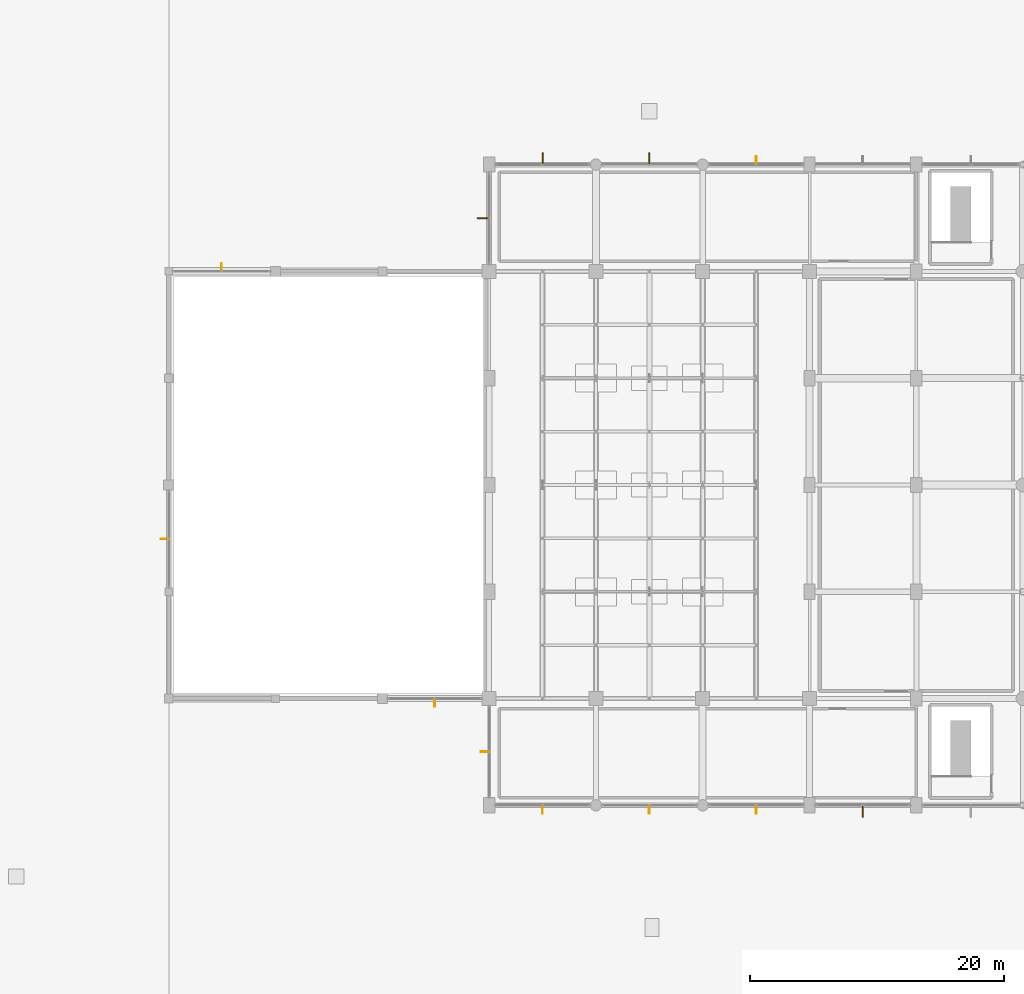
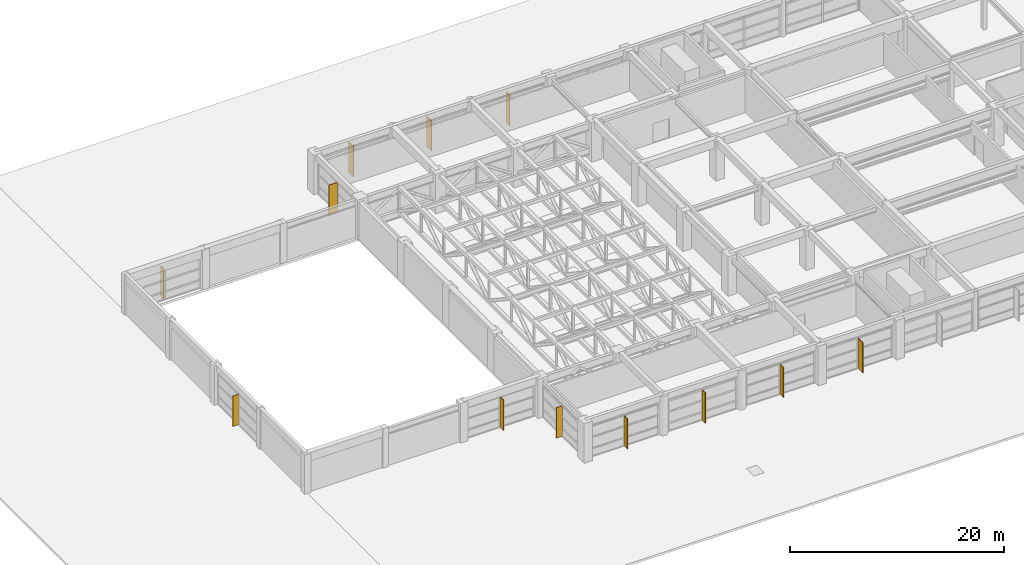
# One storey, part 44 of 47: 12 shading devices.
"""IFC4 building model written with IfcOpenShell, lengths in metres."""

from ifc_helpers import new_model, si_unit, direction, frame, origin, origin_2d, place, context, subcontext, project, spatial, rectangle, extrude, material, type_object, element, save


model = new_model("IFC4")

# Units and contexts
model_context = context("Model", 3, precision=1e-05, world=origin(), true_north=direction((0.0, 1.0)))
body_context = subcontext(model_context, "Body", "Model", "MODEL_VIEW")
ifc_project = project(units=[si_unit("LENGTHUNIT", "METRE"), si_unit("AREAUNIT", "SQUARE_METRE"), si_unit("VOLUMEUNIT", "CUBIC_METRE"), si_unit("PLANEANGLEUNIT", "RADIAN"), si_unit("MASSUNIT", "GRAM", prefix="KILO")], contexts=[model_context])

# Site, building, storey
site_placement = place(None, origin())
site = spatial("IfcSite", under=ifc_project, at=site_placement, CompositionType="ELEMENT")
building_placement = place(site_placement, origin())
building = spatial("IfcBuilding", under=site, at=building_placement, Name="Xuanlan Plaza Opera House", CompositionType="ELEMENT")
storey_placement = place(building_placement, frame((0.0, 0.0, 23.39990234375)))
storey = spatial("IfcBuildingStorey", under=building, at=storey_placement, Name="L05", CompositionType="ELEMENT", Elevation=23.39990234375)

# Shading devices
ifc_material = material(Name="Anodised Aluminium 6063-T6", Category="aluminium")
shading_device_type_1 = type_object("IfcShadingDeviceType", Name="ENV-SHD-BRS01", PredefinedType="JALOUSIE", material=ifc_material)
for number, where, z_axis, x_axis, name in (
    (1, (62.925048828125, 41.675048828125, 0.0400390625), (0.0, 0.0, 1.0), (0.0, -1.0, 0.0), "Parametric Sunshade Fin L05-0244"),
    (2, (66.875, 37.824951171875, 0.0400390625), (0.0, 0.0, 1.0), (-1.0, 0.0, 0.0), "Parametric Sunshade Fin L05-0245"),
    (3, (71.39990234375, 33.27490234375, 0.0400390625), (0.0, 0.0, 1.0), (0.0, -1.0, 0.0), "Parametric Sunshade Fin L05-0246"),
    (4, (79.800048828125, 33.27490234375, 0.0400390625), (0.0, 0.0, 1.0), (0.0, -1.0, 0.0), "Parametric Sunshade Fin L05-0247"),
    (5, (88.199951171875, 33.27490234375, 0.0400390625), (0.0, 0.0, 1.0), (0.0, -1.0, 0.0), "Parametric Sunshade Fin L05-0248"),
    (6, (88.199951171875, 84.324951171875, 0.0400390625), (0.0, 0.0, 1.0), (0.0, 1.0, 0.0), "Parametric Sunshade Fin L05-0273"),
    (7, (46.14990234375, 75.925048828125, 0.0400390625), (0.0, 0.0, 1.0), (0.0, 1.0, 0.0), "Parametric Sunshade Fin L05-0277"),
    (8, (41.675048828125, 54.550048828125, 0.0400390625), (0.0, 0.0, 1.0), (-1.0, 0.0, 0.0), "Parametric Sunshade Fin L05-0278"),
):
    element("IfcShadingDevice", number, at=place(storey_placement, frame(where, z_axis=z_axis, x_axis=x_axis)), inside=storey, type_object=shading_device_type_1, Name=name, PredefinedType="JALOUSIE", context=body_context, shape_type="SweptSolid", body=[
        extrude(rectangle(XDim=0.639892578125, YDim=0.070068359375, at=origin_2d()), origin(), (0.0, 0.0, 1.0), 3.4599609375),
    ])
shading_device_type_2 = type_object("IfcShadingDeviceType", Name="ENV-SHD-BRS02", PredefinedType="JALOUSIE", material=ifc_material)
for number, where, z_axis, x_axis, name in (
    (9, (96.60009765625, 33.135009765625, 0.0400390625), (0.0, 0.0, 1.0), (0.0, -1.0, 0.0), "Parametric Sunshade Fin L05-0249"),
    (10, (79.800048828125, 84.465087890625, 0.0400390625), (0.0, 0.0, 1.0), (0.0, 1.0, 0.0), "Parametric Sunshade Fin L05-0274"),
    (11, (71.39990234375, 84.465087890625, 0.0400390625), (0.0, 0.0, 1.0), (0.0, 1.0, 0.0), "Parametric Sunshade Fin L05-0275"),
    (12, (66.735107421875, 79.77490234375, 0.0400390625), (0.0, 0.0, 1.0), (-1.0, 0.0, 0.0), "Parametric Sunshade Fin L05-0276"),
):
    element("IfcShadingDevice", number, at=place(storey_placement, frame(where, z_axis=z_axis, x_axis=x_axis)), inside=storey, type_object=shading_device_type_2, Name=name, PredefinedType="JALOUSIE", context=body_context, shape_type="SweptSolid", body=[
        extrude(rectangle(XDim=0.919921875, YDim=0.080078125, at=origin_2d()), origin(), (0.0, 0.0, 1.0), 3.4599609375),
    ])

save(model, "model.ifc")
